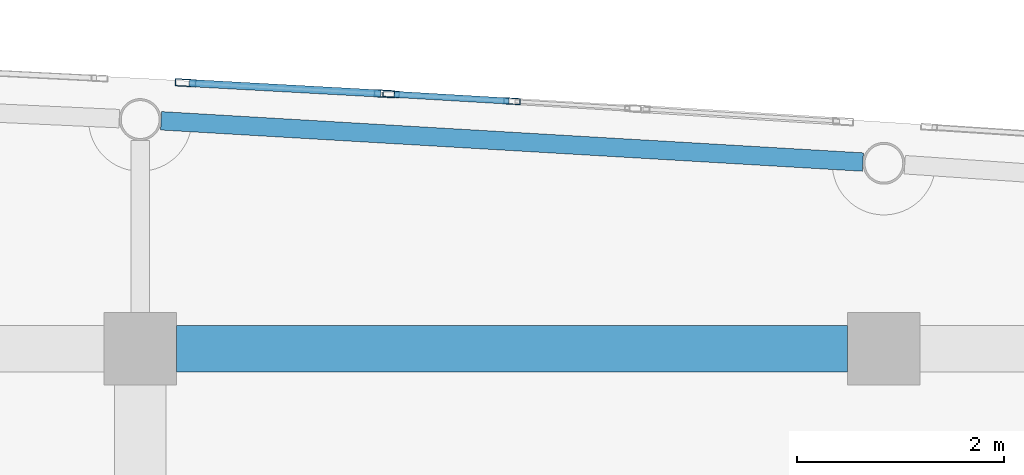
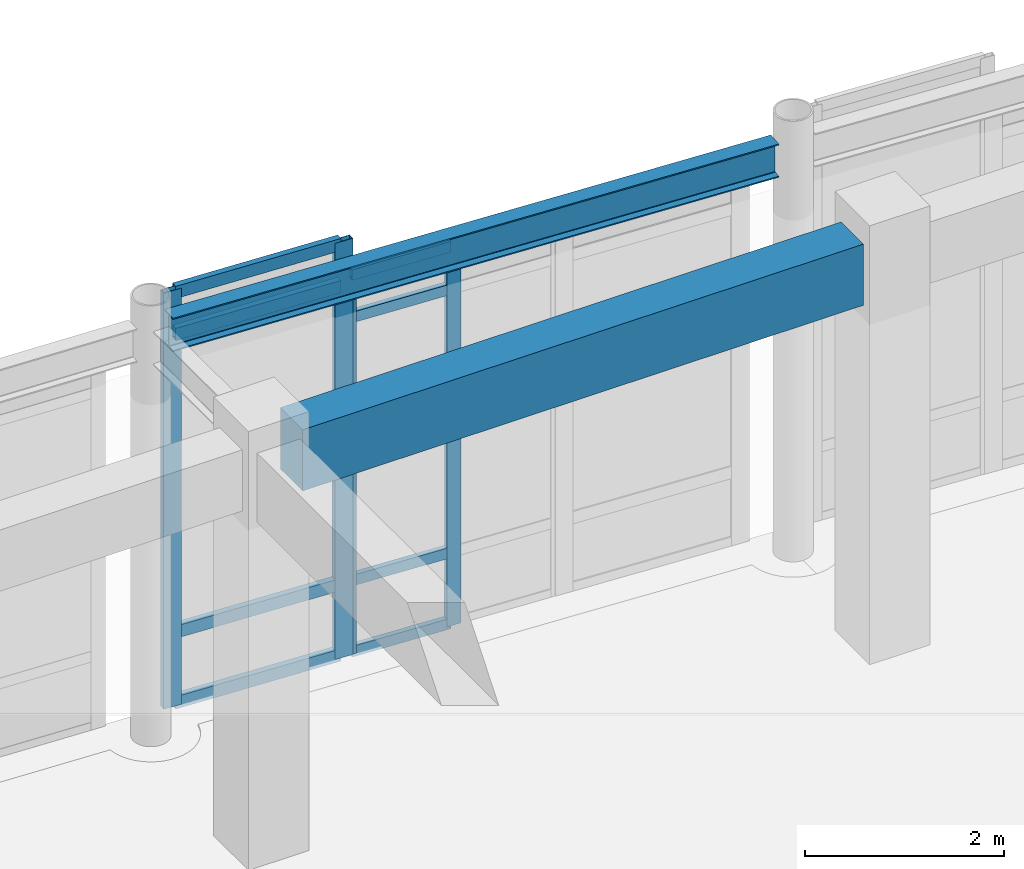
# One storey, part 49 of 102: 12 members, 2 beams, 2 elements without a shape of their own.
"""IFC4 building model written with IfcOpenShell, lengths in metres."""

from ifc_helpers import new_model, si_unit, direction, frame, origin, origin_2d, place, context, subcontext, project, spatial, rectangle, hollow_rectangle, i_section, extrude, material, layer, layer_set, material_profile, profile_set, type_object, element, aggregate, save


model = new_model("IFC4")

# Units and contexts
model_context = context("Model", 3, precision=1e-05, world=origin(), true_north=direction((0.0, 1.0)))
body_context = subcontext(model_context, "Body", "Model", "MODEL_VIEW")
ifc_project = project(units=[si_unit("LENGTHUNIT", "METRE"), si_unit("AREAUNIT", "SQUARE_METRE"), si_unit("VOLUMEUNIT", "CUBIC_METRE"), si_unit("PLANEANGLEUNIT", "RADIAN"), si_unit("MASSUNIT", "GRAM", prefix="KILO")], contexts=[model_context])

# Site, building, storey
site_placement = place(None, origin())
site = spatial("IfcSite", under=ifc_project, at=site_placement, CompositionType="ELEMENT")
building_placement = place(site_placement, origin())
building = spatial("IfcBuilding", under=site, at=building_placement, Name="Carrowvane Square Congress Hotel", CompositionType="ELEMENT")
storey_placement = place(building_placement, origin())
storey = spatial("IfcBuildingStorey", under=building, at=storey_placement, Name="L00", CompositionType="ELEMENT", Elevation=0.0)

# Beams
ifc_material_1 = material(Name="Concrete C35/45", Category="concrete")
ifc_material_profile_1 = material_profile(ifc_material_1, rectangle(XDim=0.449951171875, YDim=0.75, at=origin_2d()), Name="RC 450x750")
ifc_profile_set_1 = profile_set([ifc_material_profile_1], Name="Concrete C35/45")
beam_type_1 = type_object("IfcBeamType", Name="BM-RC-450x750", PredefinedType="USERDEFINED", material=ifc_profile_set_1)
beam_1_placement = place(storey_placement, frame((119.949951171875, 113.39990234375, 4.72509765625), z_axis=(1.0, 0.0, 0.0), x_axis=(0.0, 1.0, 0.0)))
element("IfcBeam", 1, at=beam_1_placement, inside=storey, type_object=beam_type_1, Name="L01 girder R/16-17", ObjectType="GIRDER", PredefinedType="USERDEFINED", context=body_context, shape_type="SweptSolid", body=[
    extrude(rectangle(XDim=0.449951171875, YDim=0.75, at=origin_2d()), origin(), (0.0, 0.0, 1.0), 6.5),
])
ifc_material_2 = material(Name="Steel S355", Category="steel")
ifc_material_profile_2 = material_profile(ifc_material_2, i_section(OverallWidth=0.1787109375, OverallDepth=0.409423828125, WebThickness=0.0087890625, FlangeThickness=0.014404296875, FilletRadius=0.01025390625, at=origin_2d()), Name="UKB 406x178x67")
ifc_profile_set_2 = profile_set([ifc_material_profile_2], Name="Steel S355")
beam_type_2 = type_object("IfcBeamType", Name="BM-ST-UKB406", PredefinedType="BEAM", material=ifc_profile_set_2)
beam_2_placement = place(storey_placement, frame((119.802734375, 115.605712890625, 4.895263671875), z_axis=(0.998276598904, -0.058684172325, 0.0), x_axis=(0.058684172325, 0.998276598904, 0.0)))
element("IfcBeam", 2, at=beam_2_placement, inside=storey, type_object=beam_type_2, Name="L01 curved north spandrel", PredefinedType="BEAM", context=body_context, shape_type="SweptSolid", body=[
    extrude(i_section(OverallWidth=0.1787109375, OverallDepth=0.409423828125, WebThickness=0.0087890625, FlangeThickness=0.014404296875, FilletRadius=0.01025390625, at=origin_2d()), origin(), (0.0, 0.0, 1.0), 6.80615234375),
])

# Curtain wall, members
ifc_material_3 = material(Name="Anodised aluminium", Category="aluminium")
ifc_layer_1 = layer(ifc_material_3, 0.2099609375)
ifc_layer_set_1 = layer_set([ifc_layer_1], Name="Anodised aluminium")
curtain_wall_type_1 = type_object("IfcCurtainWallType", Name="CW-SYS-5", PredefinedType="NOTDEFINED", material=ifc_layer_set_1)
curtain_wall_1_placement = place(storey_placement, origin())
curtain_wall_1 = element("IfcCurtainWall", 3, at=curtain_wall_1_placement, inside=storey, type_object=curtain_wall_type_1, Name="L00 unitised curtain wall 36", PredefinedType="NOTDEFINED")
ifc_material_4 = material(Name="Anodised aluminium", Category="aluminium")
ifc_material_profile_3 = material_profile(ifc_material_4, hollow_rectangle(XDim=0.06005859375, YDim=0.159912109375, WallThickness=0.00390625, at=origin_2d()), Name="CW-ML 60x160x4")
ifc_profile_set_3 = profile_set([ifc_material_profile_3], Name="Anodised aluminium")
member_type_1 = type_object("IfcMemberType", Name="CW-MUL-1", PredefinedType="MULLION", material=ifc_profile_set_3)
member_1_placement = place(storey_placement, frame((122.030029296875, 115.864013671875, 0.0), z_axis=(0.0, 0.0, 1.0), x_axis=(0.058851249486, 0.998266763162, 0.0)))
member_1 = element("IfcMember", 4, at=member_1_placement, type_object=member_type_1, Name="CW-5 mullion 1", PredefinedType="MULLION", context=body_context, shape_type="SweptSolid", body=[
    extrude(hollow_rectangle(XDim=0.06005859375, YDim=0.159912109375, WallThickness=0.00390625, at=origin_2d()), origin(), (0.0, 0.0, 1.0), 4.675537109375),
])
member_2_placement = place(storey_placement, frame((123.199951171875, 115.795166015625, 0.0), z_axis=(0.0, 0.0, 1.0), x_axis=(0.058851249486, 0.998266763162, 0.0)))
member_2 = element("IfcMember", 5, at=member_2_placement, type_object=member_type_1, Name="CW-5 mullion 2", PredefinedType="MULLION", context=body_context, shape_type="SweptSolid", body=[
    extrude(hollow_rectangle(XDim=0.06005859375, YDim=0.159912109375, WallThickness=0.00390625, at=origin_2d()), origin(), (0.0, 0.0, 1.0), 4.675537109375),
])

ifc_material_5 = material(Name="Anodised aluminium", Category="aluminium")
ifc_layer_2 = layer(ifc_material_5, 0.197998046875)
ifc_layer_set_2 = layer_set([ifc_layer_2], Name="Anodised aluminium")
curtain_wall_type_2 = type_object("IfcCurtainWallType", Name="CW-SYS-4", PredefinedType="NOTDEFINED", material=ifc_layer_set_2)
curtain_wall_2_placement = place(storey_placement, origin())
curtain_wall_2 = element("IfcCurtainWall", 6, at=curtain_wall_2_placement, inside=storey, type_object=curtain_wall_type_2, Name="L00 unitised curtain wall 35", PredefinedType="NOTDEFINED")
ifc_material_6 = material(Name="Anodised aluminium", Category="aluminium")
ifc_material_profile_4 = material_profile(ifc_material_6, hollow_rectangle(XDim=0.070068359375, YDim=0.199951171875, WallThickness=0.0048828125, at=origin_2d()), Name="CW-ML 70x200x5")
ifc_profile_set_4 = profile_set([ifc_material_profile_4], Name="Anodised aluminium")
member_type_2 = type_object("IfcMemberType", Name="CW-MUL-2", PredefinedType="MULLION", material=ifc_profile_set_4)
member_3_placement = place(storey_placement, frame((120.03955078125, 115.973388671875, 0.0), z_axis=(0.0, 0.0, 1.0), x_axis=(0.054815980317, 0.998496473856, 0.0)))
member_3 = element("IfcMember", 7, at=member_3_placement, type_object=member_type_2, Name="CW-4 mullion 1", PredefinedType="MULLION", context=body_context, shape_type="SweptSolid", body=[
    extrude(hollow_rectangle(XDim=0.070068359375, YDim=0.199951171875, WallThickness=0.0048828125, at=origin_2d()), origin(), (0.0, 0.0, 1.0), 5.10009765625),
])
member_4_placement = place(storey_placement, frame((121.965087890625, 115.86767578125, 0.0), z_axis=(0.0, 0.0, 1.0), x_axis=(0.054815980317, 0.998496473856, 0.0)))
member_4 = element("IfcMember", 8, at=member_4_placement, type_object=member_type_2, Name="CW-4 mullion 2", PredefinedType="MULLION", context=body_context, shape_type="SweptSolid", body=[
    extrude(hollow_rectangle(XDim=0.070068359375, YDim=0.199951171875, WallThickness=0.0048828125, at=origin_2d()), origin(), (0.0, 0.0, 1.0), 5.10009765625),
])

# Member
ifc_material_7 = material(Name="Anodised aluminium", Category="aluminium")
ifc_material_profile_5 = material_profile(ifc_material_7, hollow_rectangle(XDim=0.06005859375, YDim=0.1298828125, WallThickness=0.00390625, at=origin_2d()), Name="CW-TR 60x130x4")
ifc_profile_set_5 = profile_set([ifc_material_profile_5], Name="Anodised aluminium")
member_type_3 = type_object("IfcMemberType", Name="CW-TRN-1", PredefinedType="USERDEFINED", material=ifc_profile_set_5)
member_5_placement = place(storey_placement, frame((122.059814453125, 115.8623046875, 0.030029296875), z_axis=(0.998268312803, -0.058824957747, 0.0), x_axis=(0.058824957747, 0.998268312803, 0.0)))
member_5 = element("IfcMember", 9, at=member_5_placement, type_object=member_type_3, Name="CW-5 transom 1.1", ObjectType="TRANSOM", PredefinedType="USERDEFINED", context=body_context, shape_type="SweptSolid", body=[
    extrude(hollow_rectangle(XDim=0.06005859375, YDim=0.1298828125, WallThickness=0.00390625, at=origin_2d()), origin(), (0.0, 0.0, 1.0), 1.1123046875),
])

member_6_placement = place(storey_placement, frame((122.059814453125, 115.8623046875, 0.89990234375), z_axis=(0.998268312803, -0.058824957747, 0.0), x_axis=(0.058824957747, 0.998268312803, 0.0)))
member_6 = element("IfcMember", 10, at=member_6_placement, type_object=member_type_3, Name="CW-5 transom 1.2", ObjectType="TRANSOM", PredefinedType="USERDEFINED", context=body_context, shape_type="SweptSolid", body=[
    extrude(hollow_rectangle(XDim=0.06005859375, YDim=0.1298828125, WallThickness=0.00390625, at=origin_2d()), origin(), (0.0, 0.0, 1.0), 1.1123046875),
])

member_7_placement = place(storey_placement, frame((122.059814453125, 115.8623046875, 4.12548828125), z_axis=(0.998268312803, -0.058824957747, 0.0), x_axis=(0.058824957747, 0.998268312803, 0.0)))
member_7 = element("IfcMember", 11, at=member_7_placement, type_object=member_type_3, Name="CW-5 transom 1.3", ObjectType="TRANSOM", PredefinedType="USERDEFINED", context=body_context, shape_type="SweptSolid", body=[
    extrude(hollow_rectangle(XDim=0.06005859375, YDim=0.1298828125, WallThickness=0.00390625, at=origin_2d()), origin(), (0.0, 0.0, 1.0), 1.1123046875),
])

member_8_placement = place(storey_placement, frame((122.059814453125, 115.8623046875, 4.6455078125), z_axis=(0.998268312803, -0.058824957747, 0.0), x_axis=(0.058824957747, 0.998268312803, 0.0)))
member_8 = element("IfcMember", 12, at=member_8_placement, type_object=member_type_3, Name="CW-5 transom 1.4", ObjectType="TRANSOM", PredefinedType="USERDEFINED", context=body_context, shape_type="SweptSolid", body=[
    extrude(hollow_rectangle(XDim=0.06005859375, YDim=0.1298828125, WallThickness=0.00390625, at=origin_2d()), origin(), (0.0, 0.0, 1.0), 1.1123046875),
])

aggregate(curtain_wall_1, [member_1, member_2, member_5, member_6, member_7, member_8])

ifc_material_8 = material(Name="Anodised aluminium", Category="aluminium")
ifc_material_profile_6 = material_profile(ifc_material_8, hollow_rectangle(XDim=0.070068359375, YDim=0.14990234375, WallThickness=0.0048828125, at=origin_2d()), Name="CW-TR 70x150x5")
ifc_profile_set_6 = profile_set([ifc_material_profile_6], Name="Anodised aluminium")
member_type_4 = type_object("IfcMemberType", Name="CW-TRN-2", PredefinedType="USERDEFINED", material=ifc_profile_set_6)
member_9_placement = place(storey_placement, frame((120.074462890625, 115.971435546875, 0.034912109375), z_axis=(0.998498512711, -0.054778829075, 0.0), x_axis=(0.054778829075, 0.998498512711, 0.0)))
member_9 = element("IfcMember", 13, at=member_9_placement, type_object=member_type_4, Name="CW-4 transom 1.1", ObjectType="TRANSOM", PredefinedType="USERDEFINED", context=body_context, shape_type="SweptSolid", body=[
    extrude(hollow_rectangle(XDim=0.070068359375, YDim=0.14990234375, WallThickness=0.0048828125, at=origin_2d()), origin(), (0.0, 0.0, 1.0), 1.8583984375),
])

member_10_placement = place(storey_placement, frame((120.074462890625, 115.971435546875, 0.89990234375), z_axis=(0.998498512711, -0.054778829075, 0.0), x_axis=(0.054778829075, 0.998498512711, 0.0)))
member_10 = element("IfcMember", 14, at=member_10_placement, type_object=member_type_4, Name="CW-4 transom 1.2", ObjectType="TRANSOM", PredefinedType="USERDEFINED", context=body_context, shape_type="SweptSolid", body=[
    extrude(hollow_rectangle(XDim=0.070068359375, YDim=0.14990234375, WallThickness=0.0048828125, at=origin_2d()), origin(), (0.0, 0.0, 1.0), 1.8583984375),
])

member_11_placement = place(storey_placement, frame((120.074462890625, 115.971435546875, 4.550048828125), z_axis=(0.998498512711, -0.054778829075, 0.0), x_axis=(0.054778829075, 0.998498512711, 0.0)))
member_11 = element("IfcMember", 15, at=member_11_placement, type_object=member_type_4, Name="CW-4 transom 1.3", ObjectType="TRANSOM", PredefinedType="USERDEFINED", context=body_context, shape_type="SweptSolid", body=[
    extrude(hollow_rectangle(XDim=0.070068359375, YDim=0.14990234375, WallThickness=0.0048828125, at=origin_2d()), origin(), (0.0, 0.0, 1.0), 1.8583984375),
])

member_12_placement = place(storey_placement, frame((120.074462890625, 115.971435546875, 5.06494140625), z_axis=(0.998498512711, -0.054778829075, 0.0), x_axis=(0.054778829075, 0.998498512711, 0.0)))
member_12 = element("IfcMember", 16, at=member_12_placement, type_object=member_type_4, Name="CW-4 transom 1.4", ObjectType="TRANSOM", PredefinedType="USERDEFINED", context=body_context, shape_type="SweptSolid", body=[
    extrude(hollow_rectangle(XDim=0.070068359375, YDim=0.14990234375, WallThickness=0.0048828125, at=origin_2d()), origin(), (0.0, 0.0, 1.0), 1.8583984375),
])

aggregate(curtain_wall_2, [member_3, member_4, member_9, member_10, member_11, member_12])

save(model, "model.ifc")
